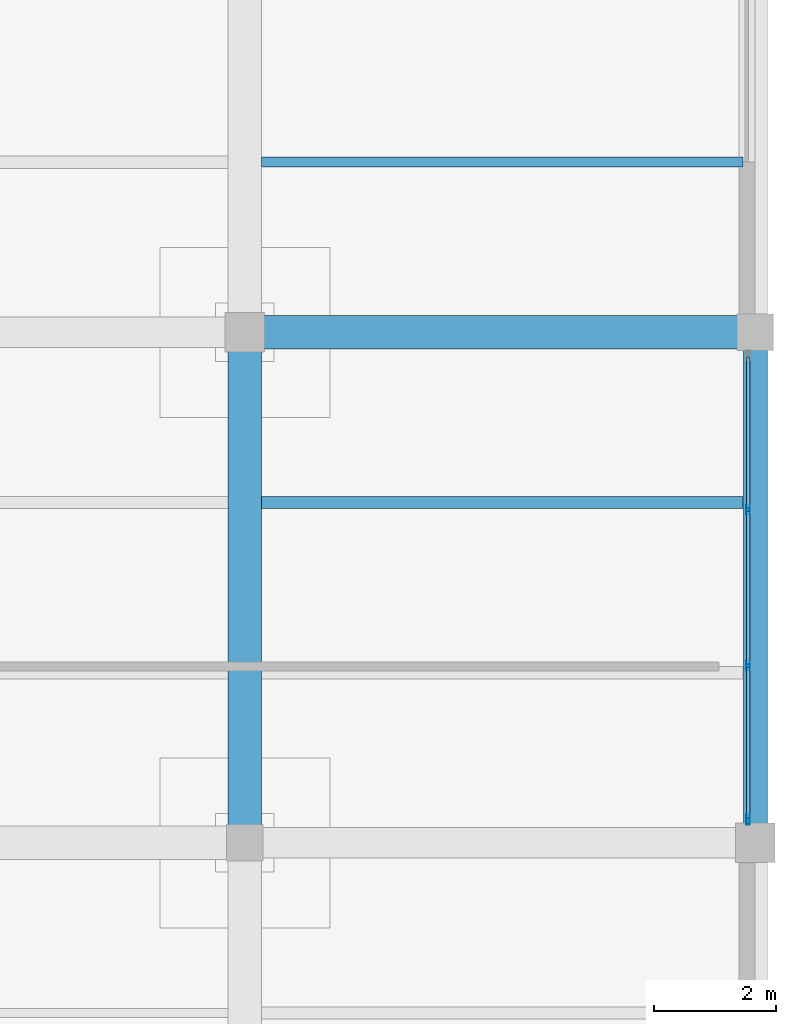
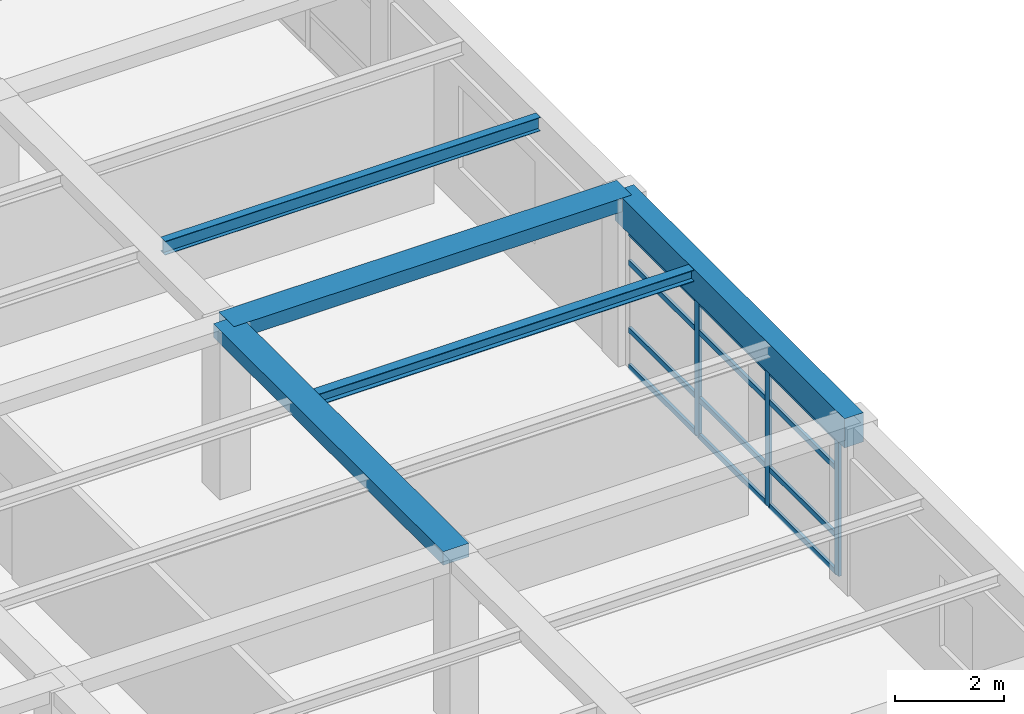
# One storey, part 13 of 25: 15 members, 5 beams, 1 element without a shape of its own.
"""IFC4 building model written with IfcOpenShell, lengths in metres."""

from ifc_helpers import new_model, si_unit, direction, frame, origin, origin_2d, place, context, subcontext, project, spatial, rectangle, hollow_rectangle, i_section, extrude, material, material_profile, profile_set, type_object, element, aggregate, save


model = new_model("IFC4")

# Units and contexts
model_context = context("Model", 3, precision=1e-05, world=origin(), true_north=direction((0.0, 1.0)))
body_context = subcontext(model_context, "Body", "Model", "MODEL_VIEW")
ifc_project = project(units=[si_unit("LENGTHUNIT", "METRE"), si_unit("AREAUNIT", "SQUARE_METRE"), si_unit("VOLUMEUNIT", "CUBIC_METRE"), si_unit("PLANEANGLEUNIT", "RADIAN"), si_unit("MASSUNIT", "GRAM", prefix="KILO")], contexts=[model_context])

# Site, building, storey
site_placement = place(None, origin())
site = spatial("IfcSite", under=ifc_project, at=site_placement, CompositionType="ELEMENT")
building_placement = place(site_placement, origin())
building = spatial("IfcBuilding", under=site, at=building_placement, Name="Almacenes y Pasaje Nevantli", CompositionType="ELEMENT")
storey_placement = place(building_placement, frame((0.0, 0.0, 50.699951171875)))
storey = spatial("IfcBuildingStorey", under=building, at=storey_placement, Name="L12", CompositionType="ELEMENT", Elevation=50.699951171875)

# Beams
ifc_material_1 = material(Name="Concrete C35/45", Category="concrete")
ifc_material_profile_1 = material_profile(ifc_material_1, rectangle(XDim=0.39990234375, YDim=0.64990234375, at=origin_2d()), Name="RC-BM-400x650")
ifc_profile_set_1 = profile_set([ifc_material_profile_1], Name="Concrete C35/45")
beam_type_1 = type_object("IfcBeamType", Name="BM-RC-400x650", PredefinedType="SPANDREL", material=ifc_profile_set_1)
beam_1_placement = place(storey_placement, frame((159.60009765625, 75.60009765625, 3.39501953125), z_axis=(0.0, 1.0, 0.0), x_axis=(-1.0, 0.0, 0.0)))
element("IfcBeam", 1, at=beam_1_placement, inside=storey, type_object=beam_type_1, Name="L12 North-South Reinforced Concrete Beam #3935", PredefinedType="SPANDREL", context=body_context, shape_type="SweptSolid", body=[
    extrude(rectangle(XDim=0.39990234375, YDim=0.64990234375, at=origin_2d()), origin(), (0.0, 0.0, 1.0), 8.39990234375),
])
ifc_material_2 = material(Name="Concrete C35/45", Category="concrete")
ifc_material_profile_2 = material_profile(ifc_material_2, rectangle(XDim=0.550048828125, YDim=0.300048828125, at=origin_2d()), Name="RC-BM-550x300")
ifc_profile_set_2 = profile_set([ifc_material_profile_2], Name="Concrete C35/45")
beam_type_2 = type_object("IfcBeamType", Name="BM-RC-550x300", PredefinedType="BEAM", material=ifc_profile_set_2)
beam_2_placement = place(storey_placement, frame((151.199951171875, 84.0, 3.570068359375), z_axis=(1.0, 0.0, 0.0), x_axis=(0.0, 1.0, 0.0)))
element("IfcBeam", 2, at=beam_2_placement, inside=storey, type_object=beam_type_2, Name="L12 East-West Reinforced Concrete Beam #3905", PredefinedType="BEAM", context=body_context, shape_type="SweptSolid", body=[
    extrude(rectangle(XDim=0.550048828125, YDim=0.300048828125, at=origin_2d()), origin(), (0.0, 0.0, 1.0), 8.400146484375),
])
beam_3_placement = place(storey_placement, frame((151.199951171875, 75.60009765625, 3.570068359375), z_axis=(0.0, 1.0, 0.0), x_axis=(-1.0, 0.0, 0.0)))
element("IfcBeam", 3, at=beam_3_placement, inside=storey, type_object=beam_type_2, Name="L12 North-South Reinforced Concrete Beam #3931", PredefinedType="BEAM", context=body_context, shape_type="SweptSolid", body=[
    extrude(rectangle(XDim=0.550048828125, YDim=0.300048828125, at=origin_2d()), origin(), (0.0, 0.0, 1.0), 8.39990234375),
])
ifc_material_3 = material(Name="Steel ASTM A992", Category="steel")
ifc_material_profile_3 = material_profile(ifc_material_3, i_section(OverallWidth=0.2041015625, OverallDepth=0.258056640625, WebThickness=0.008056640625, FlangeThickness=0.013427734375, at=origin_2d()), Name="IR 254x58.0")
ifc_profile_set_3 = profile_set([ifc_material_profile_3], Name="Steel ASTM A992")
beam_type_3 = type_object("IfcBeamType", Name="BM-STL-IR-254x58p0", PredefinedType="JOIST", material=ifc_profile_set_3)
beam_4_placement = place(storey_placement, frame((151.47509765625, 81.199951171875, 3.5830078125), z_axis=(1.0, 0.0, 0.0), x_axis=(0.0, 1.0, 0.0)))
element("IfcBeam", 4, at=beam_4_placement, inside=storey, type_object=beam_type_3, Name="L12 Secondary Steel Floor Joist #1562", PredefinedType="JOIST", context=body_context, shape_type="SweptSolid", body=[
    extrude(i_section(OverallWidth=0.2041015625, OverallDepth=0.258056640625, WebThickness=0.008056640625, FlangeThickness=0.013427734375, at=origin_2d()), origin(), (0.0, 0.0, 1.0), 7.9248046875),
])
ifc_material_4 = material(Name="Steel ASTM A992", Category="steel")
ifc_material_profile_4 = material_profile(ifc_material_4, i_section(OverallWidth=0.1650390625, OverallDepth=0.306884765625, WebThickness=0.006591796875, FlangeThickness=0.01025390625, at=origin_2d()), Name="IR 305x44.6")
ifc_profile_set_4 = profile_set([ifc_material_profile_4], Name="Steel ASTM A992")
beam_type_4 = type_object("IfcBeamType", Name="BM-STL-IR-305x44p6", PredefinedType="JOIST", material=ifc_profile_set_4)
beam_5_placement = place(storey_placement, frame((151.47509765625, 86.800048828125, 3.55859375), z_axis=(1.0, 0.0, 0.0), x_axis=(0.0, 1.0, 0.0)))
element("IfcBeam", 5, at=beam_5_placement, inside=storey, type_object=beam_type_4, Name="L12 Secondary Steel Floor Joist #1563", PredefinedType="JOIST", context=body_context, shape_type="SweptSolid", body=[
    extrude(i_section(OverallWidth=0.1650390625, OverallDepth=0.306884765625, WebThickness=0.006591796875, FlangeThickness=0.01025390625, at=origin_2d()), origin(), (0.0, 0.0, 1.0), 7.9248046875),
])

# Curtain wall, members
ifc_material_5 = material(Name="Thermally Broken Aluminium and Low-E Glass", Category="aluminium")
curtain_wall_type = type_object("IfcCurtainWallType", Name="CW-UNIT-TOWER", PredefinedType="USERDEFINED", material=ifc_material_5)
curtain_wall_placement = place(storey_placement, origin())
curtain_wall = element("IfcCurtainWall", 6, at=curtain_wall_placement, inside=storey, type_object=curtain_wall_type, Name="L12 Tower East Curtain Wall Bay 10", ObjectType="UNITIZED CURTAIN WALL", PredefinedType="USERDEFINED")
ifc_material_6 = material(Name="Thermally Broken Anodized Aluminium", Category="aluminium")
ifc_material_profile_5 = material_profile(ifc_material_6, hollow_rectangle(XDim=0.06005859375, YDim=0.159912109375, WallThickness=0.00390625, at=origin_2d()), Name="ALU-MUL-60x160")
ifc_profile_set_5 = profile_set([ifc_material_profile_5], Name="Thermally Broken Anodized Aluminium")
member_type_1 = type_object("IfcMemberType", Name="CW-MUL-180", PredefinedType="MULLION", material=ifc_profile_set_5)
member_1_placement = place(storey_placement, frame((159.47998046875, 75.97998046875, 0.0), z_axis=(0.0, 0.0, 1.0), x_axis=(-1.0, 0.0, 0.0)))
member_1 = element("IfcMember", 7, at=member_1_placement, type_object=member_type_1, Name="CW-L12-165 mullion 1", PredefinedType="MULLION", context=body_context, shape_type="SweptSolid", body=[
    extrude(hollow_rectangle(XDim=0.06005859375, YDim=0.159912109375, WallThickness=0.00390625, at=origin_2d()), origin(), (0.0, 0.0, 1.0), 3.0400390625),
])
member_2_placement = place(storey_placement, frame((159.47998046875, 78.5166015625, 0.0), z_axis=(0.0, 0.0, 1.0), x_axis=(-1.0, 0.0, 0.0)))
member_2 = element("IfcMember", 8, at=member_2_placement, type_object=member_type_1, Name="CW-L12-165 mullion 2", PredefinedType="MULLION", context=body_context, shape_type="SweptSolid", body=[
    extrude(hollow_rectangle(XDim=0.06005859375, YDim=0.159912109375, WallThickness=0.00390625, at=origin_2d()), origin(), (0.0, 0.0, 1.0), 3.0400390625),
])
member_3_placement = place(storey_placement, frame((159.47998046875, 81.083251953125, 0.0), z_axis=(0.0, 0.0, 1.0), x_axis=(-1.0, 0.0, 0.0)))
member_3 = element("IfcMember", 9, at=member_3_placement, type_object=member_type_1, Name="CW-L12-165 mullion 3", PredefinedType="MULLION", context=body_context, shape_type="SweptSolid", body=[
    extrude(hollow_rectangle(XDim=0.06005859375, YDim=0.159912109375, WallThickness=0.00390625, at=origin_2d()), origin(), (0.0, 0.0, 1.0), 3.0400390625),
])
ifc_material_7 = material(Name="Thermally Broken Anodized Aluminium", Category="aluminium")
ifc_material_profile_6 = material_profile(ifc_material_7, hollow_rectangle(XDim=0.06005859375, YDim=0.1201171875, WallThickness=0.00341796875, at=origin_2d()), Name="ALU-TRN-60x120")
ifc_profile_set_6 = profile_set([ifc_material_profile_6], Name="Thermally Broken Anodized Aluminium")
member_type_2 = type_object("IfcMemberType", Name="CW-TRN-130", PredefinedType="USERDEFINED", material=ifc_profile_set_6)
member_4_placement = place(storey_placement, frame((159.47998046875, 76.010009765625, 0.030029296875), z_axis=(0.0, 1.0, 0.0), x_axis=(-1.0, 0.0, 0.0)))
member_4 = element("IfcMember", 10, at=member_4_placement, type_object=member_type_2, Name="CW-L12-165 transom 1.1", ObjectType="TRANSOM", PredefinedType="USERDEFINED", context=body_context, shape_type="SweptSolid", body=[
    extrude(hollow_rectangle(XDim=0.06005859375, YDim=0.1201171875, WallThickness=0.00341796875, at=origin_2d()), origin(), (0.0, 0.0, 1.0), 2.4765625),
])
member_5_placement = place(storey_placement, frame((159.47998046875, 76.010009765625, 0.85009765625), z_axis=(0.0, 1.0, 0.0), x_axis=(-1.0, 0.0, 0.0)))
member_5 = element("IfcMember", 11, at=member_5_placement, type_object=member_type_2, Name="CW-L12-165 transom 1.2", ObjectType="TRANSOM", PredefinedType="USERDEFINED", context=body_context, shape_type="SweptSolid", body=[
    extrude(hollow_rectangle(XDim=0.06005859375, YDim=0.1201171875, WallThickness=0.00341796875, at=origin_2d()), origin(), (0.0, 0.0, 1.0), 2.4765625),
])
member_6_placement = place(storey_placement, frame((159.47998046875, 76.010009765625, 2.35009765625), z_axis=(0.0, 1.0, 0.0), x_axis=(-1.0, 0.0, 0.0)))
member_6 = element("IfcMember", 12, at=member_6_placement, type_object=member_type_2, Name="CW-L12-165 transom 1.3", ObjectType="TRANSOM", PredefinedType="USERDEFINED", context=body_context, shape_type="SweptSolid", body=[
    extrude(hollow_rectangle(XDim=0.06005859375, YDim=0.1201171875, WallThickness=0.00341796875, at=origin_2d()), origin(), (0.0, 0.0, 1.0), 2.4765625),
])
member_7_placement = place(storey_placement, frame((159.47998046875, 76.010009765625, 3.010009765625), z_axis=(0.0, 1.0, 0.0), x_axis=(-1.0, 0.0, 0.0)))
member_7 = element("IfcMember", 13, at=member_7_placement, type_object=member_type_2, Name="CW-L12-165 transom 1.4", ObjectType="TRANSOM", PredefinedType="USERDEFINED", context=body_context, shape_type="SweptSolid", body=[
    extrude(hollow_rectangle(XDim=0.06005859375, YDim=0.1201171875, WallThickness=0.00341796875, at=origin_2d()), origin(), (0.0, 0.0, 1.0), 2.4765625),
])
member_8_placement = place(storey_placement, frame((159.47998046875, 78.546630859375, 0.030029296875), z_axis=(0.0, 1.0, 0.0), x_axis=(-1.0, 0.0, 0.0)))
member_8 = element("IfcMember", 14, at=member_8_placement, type_object=member_type_2, Name="CW-L12-165 transom 2.1", ObjectType="TRANSOM", PredefinedType="USERDEFINED", context=body_context, shape_type="SweptSolid", body=[
    extrude(hollow_rectangle(XDim=0.06005859375, YDim=0.1201171875, WallThickness=0.00341796875, at=origin_2d()), origin(), (0.0, 0.0, 1.0), 2.506591796875),
])
member_9_placement = place(storey_placement, frame((159.47998046875, 78.546630859375, 0.85009765625), z_axis=(0.0, 1.0, 0.0), x_axis=(-1.0, 0.0, 0.0)))
member_9 = element("IfcMember", 15, at=member_9_placement, type_object=member_type_2, Name="CW-L12-165 transom 2.2", ObjectType="TRANSOM", PredefinedType="USERDEFINED", context=body_context, shape_type="SweptSolid", body=[
    extrude(hollow_rectangle(XDim=0.06005859375, YDim=0.1201171875, WallThickness=0.00341796875, at=origin_2d()), origin(), (0.0, 0.0, 1.0), 2.506591796875),
])
member_10_placement = place(storey_placement, frame((159.47998046875, 78.546630859375, 2.35009765625), z_axis=(0.0, 1.0, 0.0), x_axis=(-1.0, 0.0, 0.0)))
member_10 = element("IfcMember", 16, at=member_10_placement, type_object=member_type_2, Name="CW-L12-165 transom 2.3", ObjectType="TRANSOM", PredefinedType="USERDEFINED", context=body_context, shape_type="SweptSolid", body=[
    extrude(hollow_rectangle(XDim=0.06005859375, YDim=0.1201171875, WallThickness=0.00341796875, at=origin_2d()), origin(), (0.0, 0.0, 1.0), 2.506591796875),
])
member_11_placement = place(storey_placement, frame((159.47998046875, 78.546630859375, 3.010009765625), z_axis=(0.0, 1.0, 0.0), x_axis=(-1.0, 0.0, 0.0)))
member_11 = element("IfcMember", 17, at=member_11_placement, type_object=member_type_2, Name="CW-L12-165 transom 2.4", ObjectType="TRANSOM", PredefinedType="USERDEFINED", context=body_context, shape_type="SweptSolid", body=[
    extrude(hollow_rectangle(XDim=0.06005859375, YDim=0.1201171875, WallThickness=0.00341796875, at=origin_2d()), origin(), (0.0, 0.0, 1.0), 2.506591796875),
])
member_12_placement = place(storey_placement, frame((159.47998046875, 81.11328125, 0.030029296875), z_axis=(0.0, 1.0, 0.0), x_axis=(-1.0, 0.0, 0.0)))
member_12 = element("IfcMember", 18, at=member_12_placement, type_object=member_type_2, Name="CW-L12-165 transom 3.1", ObjectType="TRANSOM", PredefinedType="USERDEFINED", context=body_context, shape_type="SweptSolid", body=[
    extrude(hollow_rectangle(XDim=0.06005859375, YDim=0.1201171875, WallThickness=0.00341796875, at=origin_2d()), origin(), (0.0, 0.0, 1.0), 2.476806640625),
])
member_13_placement = place(storey_placement, frame((159.47998046875, 81.11328125, 0.85009765625), z_axis=(0.0, 1.0, 0.0), x_axis=(-1.0, 0.0, 0.0)))
member_13 = element("IfcMember", 19, at=member_13_placement, type_object=member_type_2, Name="CW-L12-165 transom 3.2", ObjectType="TRANSOM", PredefinedType="USERDEFINED", context=body_context, shape_type="SweptSolid", body=[
    extrude(hollow_rectangle(XDim=0.06005859375, YDim=0.1201171875, WallThickness=0.00341796875, at=origin_2d()), origin(), (0.0, 0.0, 1.0), 2.476806640625),
])
member_14_placement = place(storey_placement, frame((159.47998046875, 81.11328125, 2.35009765625), z_axis=(0.0, 1.0, 0.0), x_axis=(-1.0, 0.0, 0.0)))
member_14 = element("IfcMember", 20, at=member_14_placement, type_object=member_type_2, Name="CW-L12-165 transom 3.3", ObjectType="TRANSOM", PredefinedType="USERDEFINED", context=body_context, shape_type="SweptSolid", body=[
    extrude(hollow_rectangle(XDim=0.06005859375, YDim=0.1201171875, WallThickness=0.00341796875, at=origin_2d()), origin(), (0.0, 0.0, 1.0), 2.476806640625),
])
member_15_placement = place(storey_placement, frame((159.47998046875, 81.11328125, 3.010009765625), z_axis=(0.0, 1.0, 0.0), x_axis=(-1.0, 0.0, 0.0)))
member_15 = element("IfcMember", 21, at=member_15_placement, type_object=member_type_2, Name="CW-L12-165 transom 3.4", ObjectType="TRANSOM", PredefinedType="USERDEFINED", context=body_context, shape_type="SweptSolid", body=[
    extrude(hollow_rectangle(XDim=0.06005859375, YDim=0.1201171875, WallThickness=0.00341796875, at=origin_2d()), origin(), (0.0, 0.0, 1.0), 2.476806640625),
])
aggregate(curtain_wall, [member_1, member_2, member_3, member_4, member_5, member_6, member_7, member_8, member_9, member_10, member_11, member_12, member_13, member_14, member_15])

save(model, "model.ifc")
